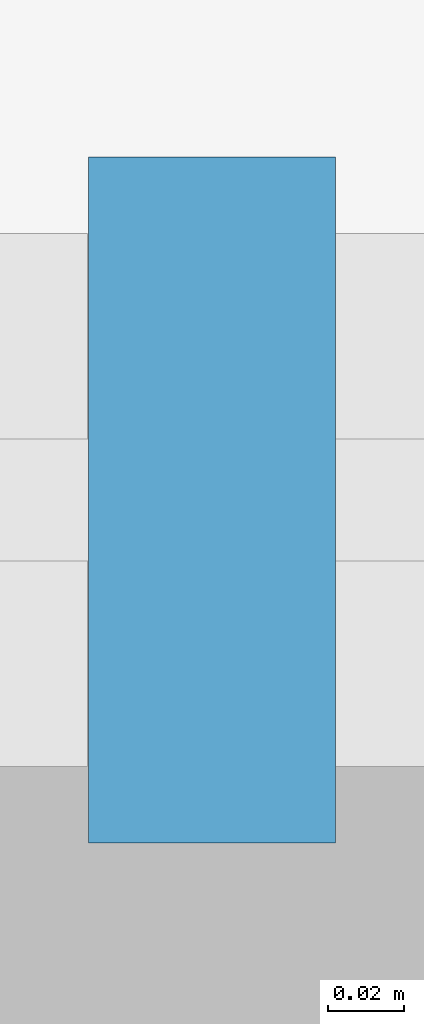
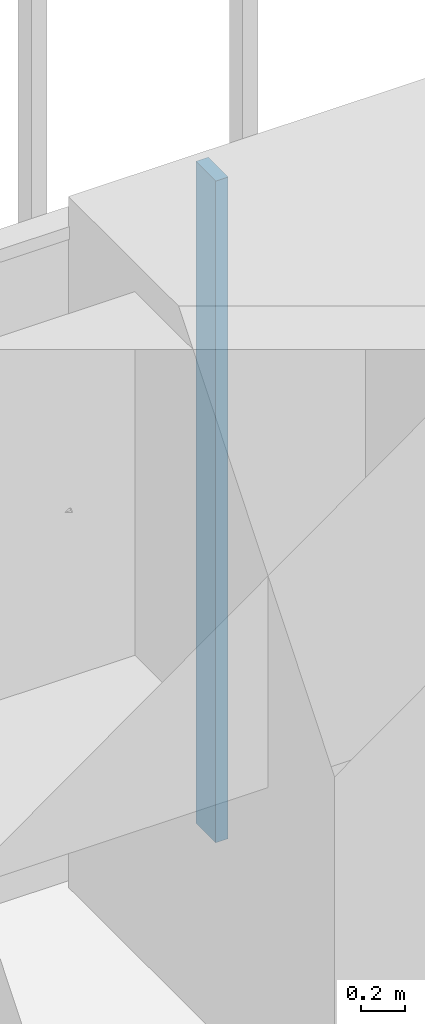
# One storey, part 159 of 238: 1 member, 1 element without a shape of its own.
"""IFC4 building model written with IfcOpenShell, lengths in metres."""

from ifc_helpers import new_model, si_unit, direction, frame, origin, origin_2d, place, context, subcontext, project, spatial, rectangle, extrude, material, material_profile, profile_set, type_object, element, aggregate, save


model = new_model("IFC4")

# Units and contexts
model_context = context("Model", 3, precision=1e-05, world=origin(), true_north=direction((0.0, 1.0)))
body_context = subcontext(model_context, "Body", "Model", "MODEL_VIEW")
ifc_project = project(units=[si_unit("LENGTHUNIT", "METRE"), si_unit("AREAUNIT", "SQUARE_METRE"), si_unit("VOLUMEUNIT", "CUBIC_METRE"), si_unit("PLANEANGLEUNIT", "RADIAN"), si_unit("MASSUNIT", "GRAM", prefix="KILO")], contexts=[model_context])

# Site, building, storey
site_placement = place(None, origin())
site = spatial("IfcSite", under=ifc_project, at=site_placement, CompositionType="ELEMENT")
building_placement = place(site_placement, origin())
building = spatial("IfcBuilding", under=site, at=building_placement, Name="Sandreach Pilgrim Tower", CompositionType="ELEMENT")
storey_placement = place(building_placement, frame((0.0, 0.0, 96.800048828125)))
storey = spatial("IfcBuildingStorey", under=building, at=storey_placement, Name="L23", CompositionType="ELEMENT", Elevation=96.800048828125)

# Curtain wall, member
ifc_material_1 = material(Name="Aluminium framed curtain wall", Category="aluminium")
curtain_wall_type = type_object("IfcCurtainWallType", Name="Hotel tower curtain wall", PredefinedType="NOTDEFINED", material=ifc_material_1)
curtain_wall_placement = place(storey_placement, origin())
curtain_wall = element("IfcCurtainWall", 1, at=curtain_wall_placement, inside=storey, type_object=curtain_wall_type, Name="CW-2 L23 N", PredefinedType="NOTDEFINED")
ifc_material_2 = material(Name="Aluminium extrusion", Category="aluminium")
ifc_material_profile = material_profile(ifc_material_2, rectangle(XDim=0.06494140625, YDim=0.179931640625, at=origin_2d()), Name="CW-2M 65X180")
ifc_profile_set = profile_set([ifc_material_profile], Name="Aluminium extrusion")
member_type = type_object("IfcMemberType", Name="CW-2 mullion", PredefinedType="MULLION", material=ifc_profile_set)
member_placement = place(storey_placement, frame((-10.267333984375, 22.493896484375, 0.0), z_axis=(0.0, 0.0, 1.0), x_axis=(1.0, 0.0, 0.0)))
member = element("IfcMember", 2, at=member_placement, type_object=member_type, Name="CW-2 mullion 3", PredefinedType="MULLION", context=body_context, shape_type="SweptSolid", body=[
    extrude(rectangle(XDim=0.06494140625, YDim=0.179931640625, at=origin_2d()), origin(), (0.0, 0.0, 1.0), 3.639892578125),
])
aggregate(curtain_wall, [member])

save(model, "model.ifc")
